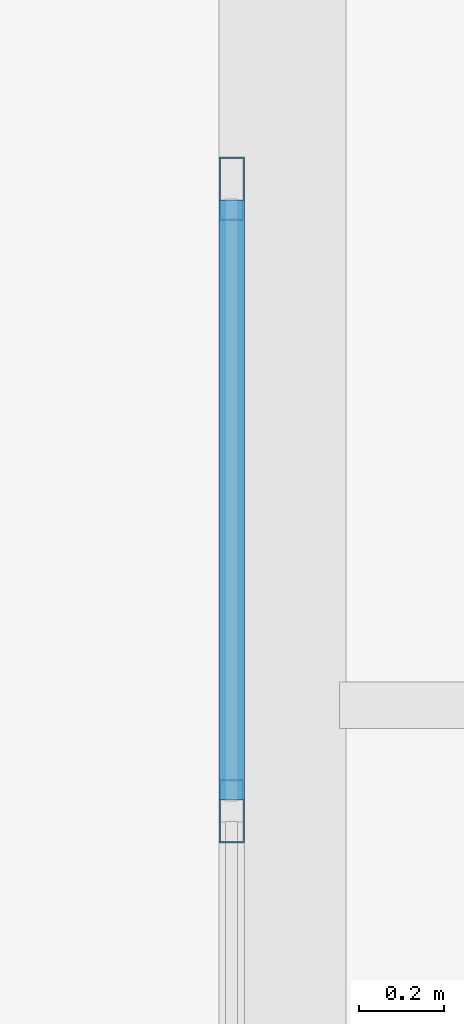
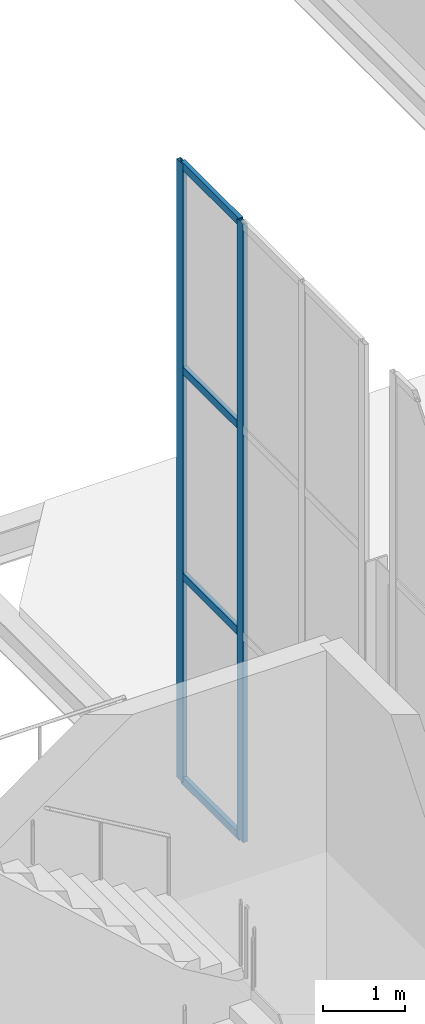
# One storey, part 124 of 191: 6 members, 1 element without a shape of its own.
"""IFC4 building model written with IfcOpenShell, lengths in metres."""

from ifc_helpers import new_model, si_unit, direction, frame, origin, origin_2d, place, context, subcontext, project, spatial, hollow_rectangle, extrude, material, layer, layer_set, material_profile, profile_set, type_object, element, aggregate, save


model = new_model("IFC4")

# Units and contexts
model_context = context("Model", 3, precision=1e-05, world=origin(), true_north=direction((0.0, 1.0)))
body_context = subcontext(model_context, "Body", "Model", "MODEL_VIEW")
ifc_project = project(units=[si_unit("LENGTHUNIT", "METRE"), si_unit("AREAUNIT", "SQUARE_METRE"), si_unit("VOLUMEUNIT", "CUBIC_METRE"), si_unit("PLANEANGLEUNIT", "RADIAN"), si_unit("MASSUNIT", "GRAM", prefix="KILO")], contexts=[model_context])

# Site, building, storey
site_placement = place(None, origin())
site = spatial("IfcSite", under=ifc_project, at=site_placement, CompositionType="ELEMENT")
building_placement = place(site_placement, origin())
building = spatial("IfcBuilding", under=site, at=building_placement, Name="Tamarisk Ironworks Central Station", CompositionType="ELEMENT")
storey_placement = place(building_placement, frame((0.0, 0.0, 6.60009765625)))
storey = spatial("IfcBuildingStorey", under=building, at=storey_placement, Name="L01", CompositionType="ELEMENT", Elevation=6.60009765625)

# Curtain wall, members
ifc_material = material(Name="Anodized aluminium alloy 6063-T6", Category="aluminium")
ifc_layer = layer(ifc_material, 0.179931640625)
ifc_layer_set = layer_set([ifc_layer], Name="Anodized aluminium alloy 6063-T6")
curtain_wall_type = type_object("IfcCurtainWallType", Name="CW-05", PredefinedType="USERDEFINED", material=ifc_layer_set)
curtain_wall_placement = place(storey_placement, origin())
curtain_wall = element("IfcCurtainWall", 1, at=curtain_wall_placement, inside=storey, type_object=curtain_wall_type, Name="Concourse E track-overlook curtain wall 08", ObjectType="GLAZED CURTAIN WALL", PredefinedType="USERDEFINED")
ifc_material_profile_1 = material_profile(ifc_material, hollow_rectangle(XDim=0.06005859375, YDim=0.14990234375, WallThickness=0.00341796875, at=origin_2d()), Name="ALUM 150x60")
ifc_profile_set_1 = profile_set([ifc_material_profile_1], Name="Anodized aluminium alloy 6063-T6")
member_type_1 = type_object("IfcMemberType", Name="CWM-03", PredefinedType="MULLION", material=ifc_profile_set_1)
member_1_placement = place(storey_placement, frame((107.8798828125, 104.14990234375, 0.0), z_axis=(0.0, 0.0, 1.0), x_axis=(-1.0, 0.0, 0.0)))
member_1 = element("IfcMember", 2, at=member_1_placement, type_object=member_type_1, Name="CW05 mullion 3", PredefinedType="MULLION", context=body_context, shape_type="SweptSolid", body=[
    extrude(hollow_rectangle(XDim=0.06005859375, YDim=0.14990234375, WallThickness=0.00341796875, at=origin_2d()), origin(), (0.0, 0.0, 1.0), 9.219970703125),
])
member_2_placement = place(storey_placement, frame((107.8798828125, 105.6201171875, 0.0), z_axis=(0.0, 0.0, 1.0), x_axis=(-1.0, 0.0, 0.0)))
member_2 = element("IfcMember", 3, at=member_2_placement, type_object=member_type_1, Name="CW05 mullion 4", PredefinedType="MULLION", context=body_context, shape_type="SweptSolid", body=[
    extrude(hollow_rectangle(XDim=0.06005859375, YDim=0.14990234375, WallThickness=0.00341796875, at=origin_2d()), origin(), (0.0, 0.0, 1.0), 9.219970703125),
])
ifc_material_profile_2 = material_profile(ifc_material, hollow_rectangle(XDim=0.06005859375, YDim=0.114990234375, WallThickness=0.00341796875, at=origin_2d()), Name="ALUM 115x60")
ifc_profile_set_2 = profile_set([ifc_material_profile_2], Name="Anodized aluminium alloy 6063-T6")
member_type_2 = type_object("IfcMemberType", Name="CWT-03", PredefinedType="USERDEFINED", material=ifc_profile_set_2)
member_3_placement = place(storey_placement, frame((107.8798828125, 104.176025390625, 0.02978515625), z_axis=(0.0, 1.0, 0.0), x_axis=(-1.0, 0.0, 0.0)))
member_3 = element("IfcMember", 4, at=member_3_placement, type_object=member_type_2, Name="CW05 transom 3.1", ObjectType="TRANSOM", PredefinedType="USERDEFINED", context=body_context, shape_type="SweptSolid", body=[
    extrude(hollow_rectangle(XDim=0.06005859375, YDim=0.114990234375, WallThickness=0.00341796875, at=origin_2d()), origin(), (0.0, 0.0, 1.0), 1.41796875),
])
member_4_placement = place(storey_placement, frame((107.8798828125, 104.176025390625, 3.0732421875), z_axis=(0.0, 1.0, 0.0), x_axis=(-1.0, 0.0, 0.0)))
member_4 = element("IfcMember", 5, at=member_4_placement, type_object=member_type_2, Name="CW05 transom 3.2", ObjectType="TRANSOM", PredefinedType="USERDEFINED", context=body_context, shape_type="SweptSolid", body=[
    extrude(hollow_rectangle(XDim=0.06005859375, YDim=0.114990234375, WallThickness=0.00341796875, at=origin_2d()), origin(), (0.0, 0.0, 1.0), 1.41796875),
])
member_5_placement = place(storey_placement, frame((107.8798828125, 104.176025390625, 6.146484375), z_axis=(0.0, 1.0, 0.0), x_axis=(-1.0, 0.0, 0.0)))
member_5 = element("IfcMember", 6, at=member_5_placement, type_object=member_type_2, Name="CW05 transom 3.3", ObjectType="TRANSOM", PredefinedType="USERDEFINED", context=body_context, shape_type="SweptSolid", body=[
    extrude(hollow_rectangle(XDim=0.06005859375, YDim=0.114990234375, WallThickness=0.00341796875, at=origin_2d()), origin(), (0.0, 0.0, 1.0), 1.41796875),
])
member_6_placement = place(storey_placement, frame((107.8798828125, 104.176025390625, 9.18994140625), z_axis=(0.0, 1.0, 0.0), x_axis=(-1.0, 0.0, 0.0)))
member_6 = element("IfcMember", 7, at=member_6_placement, type_object=member_type_2, Name="CW05 transom 3.4", ObjectType="TRANSOM", PredefinedType="USERDEFINED", context=body_context, shape_type="SweptSolid", body=[
    extrude(hollow_rectangle(XDim=0.06005859375, YDim=0.114990234375, WallThickness=0.00341796875, at=origin_2d()), origin(), (0.0, 0.0, 1.0), 1.41796875),
])
aggregate(curtain_wall, [member_1, member_2, member_3, member_4, member_5, member_6])

save(model, "model.ifc")
